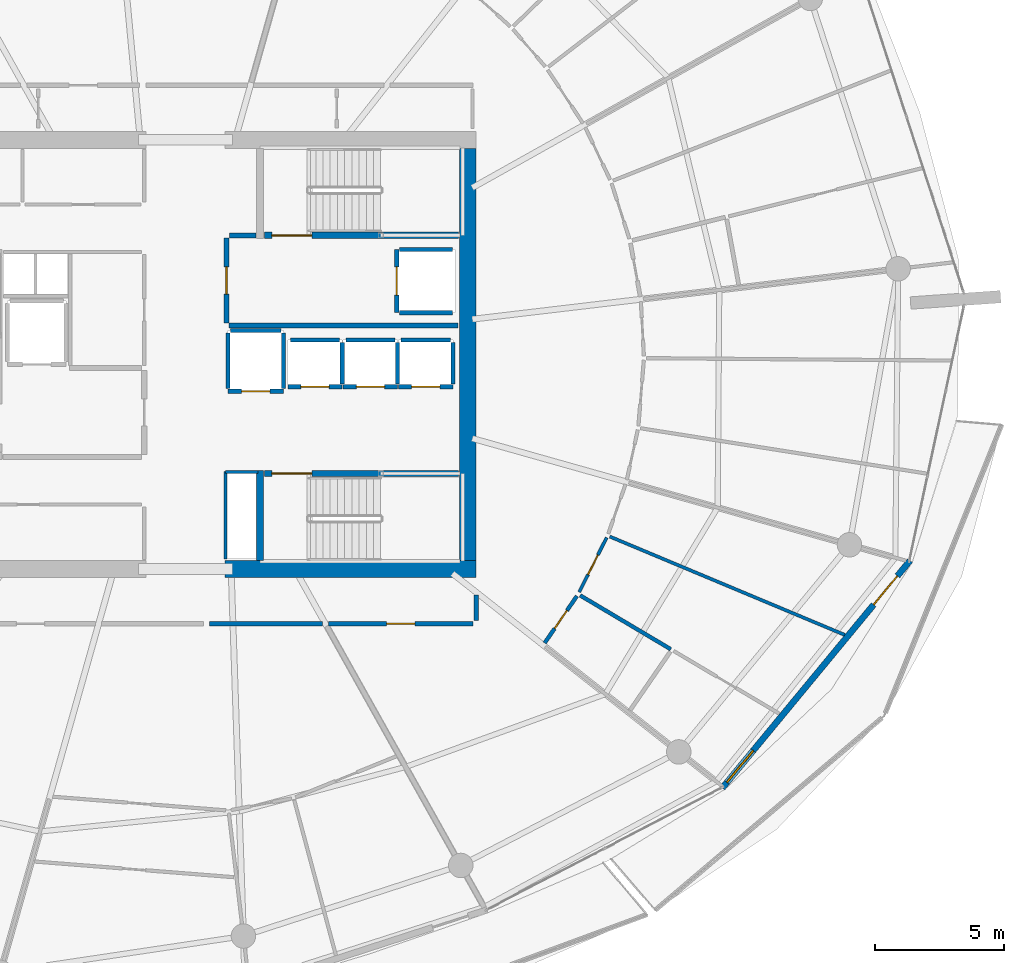
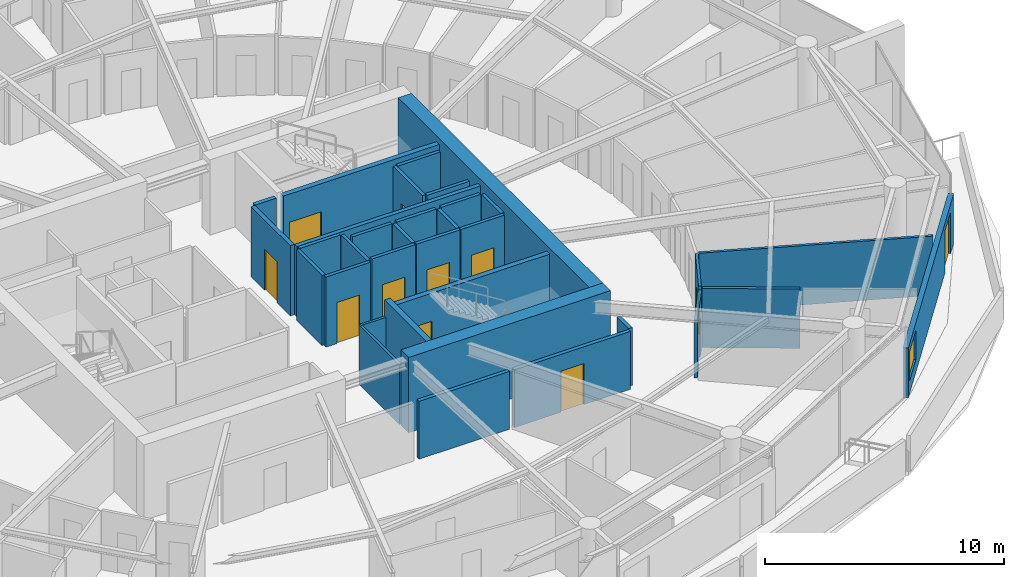
# One storey, part 19 of 30: 34 walls, 12 doors, 1 window, 13 openings.
"""IFC4 building model written with IfcOpenShell, lengths in metres."""

from ifc_helpers import new_model, si_unit, direction, frame, frame_2d, origin, place, context, subcontext, project, spatial, rectangle, extrude, material, layer, layer_set, type_object, element, fill, save


model = new_model("IFC4")

# Units and contexts
model_context = context("Model", 3, precision=1e-05, world=origin(), true_north=direction((0.0, 1.0)))
body_context = subcontext(model_context, "Body", "Model", "MODEL_VIEW")
ifc_project = project(units=[si_unit("LENGTHUNIT", "METRE"), si_unit("AREAUNIT", "SQUARE_METRE"), si_unit("VOLUMEUNIT", "CUBIC_METRE"), si_unit("PLANEANGLEUNIT", "RADIAN"), si_unit("MASSUNIT", "GRAM", prefix="KILO")], contexts=[model_context])

# Site, building, storey
site_placement = place(None, origin())
site = spatial("IfcSite", under=ifc_project, at=site_placement, CompositionType="ELEMENT")
building_placement = place(site_placement, origin())
building = spatial("IfcBuilding", under=site, at=building_placement, Name="Kazma Halo Residences", CompositionType="ELEMENT")
storey_placement = place(building_placement, frame((0.0, 0.0, 255.949951171875)))
storey = spatial("IfcBuildingStorey", under=building, at=storey_placement, Name="L64", CompositionType="ELEMENT", Elevation=255.949951171875)

# Walls
ifc_material_1 = material(Name="Concrete C60/75", Category="concrete")
ifc_layer_1 = layer(ifc_material_1, 0.64990234375)
ifc_layer_set_1 = layer_set([ifc_layer_1], Name="Concrete C60/75")
wall_type_1 = type_object("IfcWallType", Name="WL-CORE-650", PredefinedType="SHEAR", material=ifc_layer_set_1)
wall_1_placement = place(storey_placement, frame((49.949951171875, 33.675048828125, 0.0), z_axis=(0.0, 0.0, 1.0), x_axis=(1.0, 0.0, 0.0)))
element("IfcWall", 1, at=wall_1_placement, inside=storey, type_object=wall_type_1, Name="L64 central core shear wall SE", PredefinedType="SHEAR", context=body_context, shape_type="SweptSolid", body=[
    extrude(rectangle(XDim=9.75, YDim=0.64990234375, at=frame_2d((4.875, 0.0))), origin(), (0.0, 0.0, 1.0), 3.85009765625),
])
wall_2_placement = place(storey_placement, frame((59.375, 34.0, 0.0), z_axis=(0.0, 0.0, 1.0), x_axis=(0.0, 1.0, 0.0)))
element("IfcWall", 2, at=wall_2_placement, inside=storey, type_object=wall_type_1, Name="L64 central core shear wall E", PredefinedType="SHEAR", context=body_context, shape_type="SweptSolid", body=[
    extrude(rectangle(XDim=16.0, YDim=0.64990234375, at=frame_2d((8.0, 0.0))), origin(), (0.0, 0.0, 1.0), 3.85009765625),
])
ifc_layer_2 = layer(ifc_material_1, 0.280029296875)
ifc_layer_set_2 = layer_set([ifc_layer_2], Name="Concrete C60/75")
wall_type_2 = type_object("IfcWallType", Name="WL-CORE-ST-280", PredefinedType="SHEAR", material=ifc_layer_set_2)
wall_3_placement = place(storey_placement, frame((51.31005859375, 34.0, 0.0), z_axis=(0.0, 0.0, 1.0), x_axis=(0.0, 1.0, 0.0)))
element("IfcWall", 3, at=wall_3_placement, inside=storey, type_object=wall_type_2, Name="L64 stairwell bearing wall ST03-W", PredefinedType="SHEAR", context=body_context, shape_type="SweptSolid", body=[
    extrude(rectangle(XDim=3.5, YDim=0.280029296875, at=frame_2d((1.75, 0.0))), origin(), (0.0, 0.0, 1.0), 3.85009765625),
])
ifc_material_2 = material(Name="Acoustic Twin-Stud Gypsum")
ifc_layer_3 = layer(ifc_material_2, 0.179931640625)
ifc_layer_set_3 = layer_set([ifc_layer_3], Name="Acoustic Twin-Stud Gypsum")
wall_type_3 = type_object("IfcWallType", Name="WL-DEM-180", PredefinedType="PARTITIONING", material=ifc_layer_set_3)
wall_4_placement = place(storey_placement, frame((49.356689453125, 31.550048828125, 0.0), z_axis=(0.0, 0.0, 1.0), x_axis=(1.0, 0.0, 0.0)))
element("IfcWall", 4, at=wall_4_placement, inside=storey, type_object=wall_type_3, Name="L64 Apartment 2 inner wall 11", PredefinedType="PARTITIONING", context=body_context, shape_type="SweptSolid", body=[
    extrude(rectangle(XDim=4.375732421875, YDim=0.179931640625, at=frame_2d((2.18798828125, 0.0))), origin(), (0.0, 0.0, 1.0), 2.95703125),
])

# Wall, opening, door
wall_5_placement = place(storey_placement, frame((53.972412109375, 31.550048828125, 0.0), z_axis=(0.0, 0.0, 1.0), x_axis=(1.0, 0.0, 0.0)))
wall_5 = element("IfcWall", 5, at=wall_5_placement, inside=storey, type_object=wall_type_3, Name="L64 Apartment 3 entrance corridor wall", PredefinedType="PARTITIONING", context=body_context, shape_type="SweptSolid", body=[
    extrude(rectangle(XDim=5.607666015625, YDim=0.179931640625, at=frame_2d((2.8037109375, 0.0))), origin(), (0.0, 0.0, 1.0), 2.95703125),
])
opening_1_placement = place(wall_5_placement, frame((2.25390625, 0.0, 0.0)))
opening_1 = element("IfcOpeningElement", 6, at=opening_1_placement, cuts=wall_5, Name="Opening DA-1100", PredefinedType="OPENING", context=body_context, shape_type="SweptSolid", body=[
    extrude(rectangle(XDim=1.10009765625, YDim=2.10009765625, at=frame_2d((0.550048828125, 1.050048828125))), frame((0.0, 0.099853515625, 0.0), z_axis=(0.0, -1.0, 0.0), x_axis=(1.0, 0.0, 0.0)), (0.0, 0.0, 1.0), 0.199951171875),
])
ifc_material_3 = material(Name="Acoustic Walnut Fire Leaf")
door_type_1 = type_object("IfcDoorType", Name="DR-FD60-1100", OperationType="NOTDEFINED", PredefinedType="DOOR", material=ifc_material_3)
door_1_placement = place(opening_1_placement, origin())
door_1 = element("IfcDoor", 7, at=door_1_placement, inside=storey, type_object=door_type_1, Name="L64 Apartment 3 entrance fire door", OperationType="SINGLE_SWING_RIGHT", OverallHeight=2.10009765625, OverallWidth=1.10009765625, PredefinedType="DOOR", context=body_context, shape_type="SweptSolid", body=[
    extrude(rectangle(XDim=1.10009765625, YDim=2.10009765625, at=frame_2d((0.550048828125, 1.050048828125))), frame((0.0, 0.02490234375, 0.0), z_axis=(0.0, -1.0, 0.0), x_axis=(1.0, 0.0, 0.0)), (0.0, 0.0, 1.0), 0.050048828125),
])
fill(opening_1, door_1)

# Wall
wall_6_placement = place(storey_placement, frame((59.699951171875, 31.669921875, 0.0), z_axis=(0.0, 0.0, 1.0), x_axis=(0.0, 1.0, 0.0)))
element("IfcWall", 8, at=wall_6_placement, inside=storey, type_object=wall_type_3, Name="L64 Apartment 3 entrance corridor wall", PredefinedType="PARTITIONING", context=body_context, shape_type="SweptSolid", body=[
    extrude(rectangle(XDim=0.986572265625, YDim=0.179931640625, at=frame_2d((0.4931640625, 0.0))), origin(), (0.0, 0.0, 1.0), 2.95703125),
])

# Wall, openings, door, window
ifc_material_4 = material(Name="Insulated Pale-Metal Composite Wall")
ifc_layer_4 = layer(ifc_material_4, 0.239990234375)
ifc_layer_set_4 = layer_set([ifc_layer_4], Name="Insulated Pale-Metal Composite Wall")
wall_type_4 = type_object("IfcWallType", Name="WL-EXT-HOST-240", PredefinedType="SOLIDWALL", material=ifc_layer_set_4)
wall_7_placement = place(storey_placement, frame((69.2578125, 25.177978515625, 0.0), z_axis=(0.0, 0.0, 1.0), x_axis=(0.636680093065, 0.771128043255, 0.0)))
wall_7 = element("IfcWall", 9, at=wall_7_placement, inside=storey, type_object=wall_type_4, Name="L64 exterior terrace-access wall B14", PredefinedType="SOLIDWALL", context=body_context, shape_type="SweptSolid", body=[
    extrude(rectangle(XDim=11.438232421875, YDim=0.239990234375, at=frame_2d((5.71923828125, 0.0))), origin(), (0.0, 0.0, 1.0), 2.5400390625),
])
opening_2_placement = place(wall_7_placement, frame((9.21826171875, 0.0, 0.0)))
opening_2 = element("IfcOpeningElement", 10, at=opening_2_placement, cuts=wall_7, Name="Opening DTR-1600", PredefinedType="OPENING", context=body_context, shape_type="SweptSolid", body=[
    extrude(rectangle(XDim=1.449951171875, YDim=2.14990234375, at=frame_2d((0.72509765625, 1.074951171875))), frame((0.0, 0.1298828125, 0.0), z_axis=(0.0, -1.0, 0.0), x_axis=(1.0, 0.0, 0.0)), (0.0, 0.0, 1.0), 0.260009765625),
])
opening_3_placement = place(wall_7_placement, frame((0.280029296875, 0.0, 0.64990234375)))
opening_3 = element("IfcOpeningElement", 11, at=opening_3_placement, cuts=wall_7, Name="Opening W-1800", PredefinedType="OPENING", context=body_context, shape_type="SweptSolid", body=[
    extrude(rectangle(XDim=1.60009765625, YDim=1.5, at=frame_2d((0.800048828125, 0.75))), frame((0.0, 0.1298828125, 0.0), z_axis=(0.0, -1.0, 0.0), x_axis=(1.0, 0.0, 0.0)), (0.0, 0.0, 1.0), 0.260009765625),
])
ifc_material_5 = material(Name="Aluminium AW-6063 T6 Double-Glazed Terrace Door", Category="aluminium")
door_type_2 = type_object("IfcDoorType", Name="DR-EXT-TERR-1600", OperationType="NOTDEFINED", PredefinedType="DOOR", material=ifc_material_5)
door_2_placement = place(opening_2_placement, origin())
door_2 = element("IfcDoor", 12, at=door_2_placement, inside=storey, type_object=door_type_2, Name="L64 B14 balcony terrace door", OperationType="DOUBLE_DOOR_SLIDING", OverallHeight=2.14990234375, OverallWidth=1.449951171875, PredefinedType="DOOR", context=body_context, shape_type="SweptSolid", body=[
    extrude(rectangle(XDim=1.449951171875, YDim=2.14990234375, at=frame_2d((0.72509765625, 1.074951171875))), frame((0.0, 0.02490234375, 0.0), z_axis=(0.0, -1.0, 0.0), x_axis=(1.0, 0.0, 0.0)), (0.0, 0.0, 1.0), 0.050048828125),
])
fill(opening_2, door_2)
ifc_material_6 = material(Name="Clear Triple-Silver Low-E Glass in Aluminium AW-6063 T6 Frame", Category="aluminium")
window_type = type_object("IfcWindowType", Name="WIN-RES-1800", PartitioningType="DOUBLE_PANEL_VERTICAL", PredefinedType="WINDOW", material=ifc_material_6)
window_placement = place(opening_3_placement, origin())
window = element("IfcWindow", 13, at=window_placement, inside=storey, type_object=window_type, Name="L64 B14 apartment window", OverallHeight=1.5, OverallWidth=1.60009765625, PartitioningType="SINGLE_PANEL", PredefinedType="WINDOW", context=body_context, shape_type="SweptSolid", body=[
    extrude(rectangle(XDim=1.60009765625, YDim=1.5, at=frame_2d((0.800048828125, 0.75))), frame((0.0, 0.030029296875, 0.0), z_axis=(0.0, -1.0, 0.0), x_axis=(1.0, 0.0, 0.0)), (0.0, 0.0, 1.0), 0.06005859375),
])
fill(opening_3, window)

# Wall, opening, door
ifc_material_7 = material(Name="Fire-Rated Blockwork Masonry", Category="masonry")
ifc_layer_5 = layer(ifc_material_7, 0.199951171875)
ifc_layer_set_5 = layer_set([ifc_layer_5], Name="Fire-Rated Blockwork Masonry")
wall_type_5 = type_object("IfcWallType", Name="WL-FLB-200", PredefinedType="PARTITIONING", material=ifc_layer_set_5)
wall_8_placement = place(storey_placement, frame((54.5048828125, 40.7451171875, 0.0), z_axis=(0.0, 0.0, 1.0), x_axis=(-1.0, 0.0, 0.0)))
wall_8 = element("IfcWall", 14, at=wall_8_placement, inside=storey, type_object=wall_type_5, Name="L64 lift shaft PH-01 front wall", PredefinedType="PARTITIONING", context=body_context, shape_type="SweptSolid", body=[
    extrude(rectangle(XDim=2.10986328125, YDim=0.159912109375, at=frame_2d((1.054931640625, 0.0))), origin(), (0.0, 0.0, 1.0), 3.590087890625),
])
opening_4_placement = place(wall_8_placement, frame((0.5048828125, 0.0, 0.0)))
opening_4 = element("IfcOpeningElement", 15, at=opening_4_placement, cuts=wall_8, Name="Opening LD-PH-01", PredefinedType="OPENING", context=body_context, shape_type="SweptSolid", body=[
    extrude(rectangle(XDim=1.10009765625, YDim=2.10009765625, at=frame_2d((0.550048828125, 1.050048828125))), frame((0.0, 0.08984375, 0.0), z_axis=(0.0, -1.0, 0.0), x_axis=(1.0, 0.0, 0.0)), (0.0, 0.0, 1.0), 0.179931640625),
])
ifc_material_8 = material(Name="Stainless Steel Fire-Rated", Category="steel")
door_type_3 = type_object("IfcDoorType", Name="DR-LIFT-SLD-1100", OperationType="DOUBLE_DOOR_SLIDING", PredefinedType="DOOR", material=ifc_material_8)
door_3_placement = place(opening_4_placement, origin())
door_3 = element("IfcDoor", 16, at=door_3_placement, inside=storey, type_object=door_type_3, Name="L64 lift PH-01 sliding landing door", OperationType="DOUBLE_DOOR_SLIDING", OverallHeight=2.10009765625, OverallWidth=1.10009765625, PredefinedType="DOOR", context=body_context, shape_type="SweptSolid", body=[
    extrude(rectangle(XDim=1.10009765625, YDim=2.10009765625, at=frame_2d((0.550048828125, 1.050048828125))), frame((0.0, 0.02490234375, 0.0), z_axis=(0.0, -1.0, 0.0), x_axis=(1.0, 0.0, 0.0)), (0.0, 0.0, 1.0), 0.050048828125),
])
fill(opening_4, door_3)

# Walls
wall_9_placement = place(storey_placement, frame((54.5048828125, 40.844970703125, 0.0), z_axis=(0.0, 0.0, 1.0), x_axis=(0.0, 1.0, 0.0)))
element("IfcWall", 17, at=wall_9_placement, inside=storey, type_object=wall_type_5, Name="L64 lift shaft PH-01 side wall E", PredefinedType="PARTITIONING", context=body_context, shape_type="SweptSolid", body=[
    extrude(rectangle(XDim=1.610107421875, YDim=0.159912109375, at=frame_2d((0.80517578125, 0.0))), origin(), (0.0, 0.0, 1.0), 3.590087890625),
])
wall_10_placement = place(storey_placement, frame((52.4951171875, 42.554931640625, 0.0), z_axis=(0.0, 0.0, 1.0), x_axis=(1.0, 0.0, 0.0)))
element("IfcWall", 18, at=wall_10_placement, inside=storey, type_object=wall_type_5, Name="L64 lift shaft PH-01 side wall N", PredefinedType="PARTITIONING", context=body_context, shape_type="SweptSolid", body=[
    extrude(rectangle(XDim=1.909912109375, YDim=0.159912109375, at=frame_2d((0.955078125, 0.0))), origin(), (0.0, 0.0, 1.0), 3.590087890625),
])

# Wall, opening, door
wall_11_placement = place(storey_placement, frame((56.655029296875, 40.7451171875, 0.0), z_axis=(0.0, 0.0, 1.0), x_axis=(-1.0, 0.0, 0.0)))
wall_11 = element("IfcWall", 19, at=wall_11_placement, inside=storey, type_object=wall_type_5, Name="L64 lift shaft PH-02 front wall", PredefinedType="PARTITIONING", context=body_context, shape_type="SweptSolid", body=[
    extrude(rectangle(XDim=2.110107421875, YDim=0.159912109375, at=frame_2d((1.05517578125, 0.0))), origin(), (0.0, 0.0, 1.0), 3.590087890625),
])
opening_5_placement = place(wall_11_placement, frame((0.5048828125, 0.0, 0.0)))
opening_5 = element("IfcOpeningElement", 20, at=opening_5_placement, cuts=wall_11, Name="Opening LD-PH-02", PredefinedType="OPENING", context=body_context, shape_type="SweptSolid", body=[
    extrude(rectangle(XDim=1.10009765625, YDim=2.10009765625, at=frame_2d((0.550048828125, 1.050048828125))), frame((0.0, 0.08984375, 0.0), z_axis=(0.0, -1.0, 0.0), x_axis=(1.0, 0.0, 0.0)), (0.0, 0.0, 1.0), 0.179931640625),
])
door_4_placement = place(opening_5_placement, origin())
door_4 = element("IfcDoor", 21, at=door_4_placement, inside=storey, type_object=door_type_3, Name="L64 lift PH-02 sliding landing door", OperationType="DOUBLE_DOOR_SLIDING", OverallHeight=2.10009765625, OverallWidth=1.10009765625, PredefinedType="DOOR", context=body_context, shape_type="SweptSolid", body=[
    extrude(rectangle(XDim=1.10009765625, YDim=2.10009765625, at=frame_2d((0.550048828125, 1.050048828125))), frame((0.0, 0.02490234375, 0.0), z_axis=(0.0, -1.0, 0.0), x_axis=(1.0, 0.0, 0.0)), (0.0, 0.0, 1.0), 0.050048828125),
])
fill(opening_5, door_4)

# Walls
wall_12_placement = place(storey_placement, frame((56.655029296875, 40.844970703125, 0.0), z_axis=(0.0, 0.0, 1.0), x_axis=(0.0, 1.0, 0.0)))
element("IfcWall", 22, at=wall_12_placement, inside=storey, type_object=wall_type_5, Name="L64 lift shaft PH-02 side wall E", PredefinedType="PARTITIONING", context=body_context, shape_type="SweptSolid", body=[
    extrude(rectangle(XDim=1.610107421875, YDim=0.159912109375, at=frame_2d((0.80517578125, 0.0))), origin(), (0.0, 0.0, 1.0), 3.590087890625),
])
wall_13_placement = place(storey_placement, frame((54.64501953125, 42.554931640625, 0.0), z_axis=(0.0, 0.0, 1.0), x_axis=(1.0, 0.0, 0.0)))
element("IfcWall", 23, at=wall_13_placement, inside=storey, type_object=wall_type_5, Name="L64 lift shaft PH-02 side wall N", PredefinedType="PARTITIONING", context=body_context, shape_type="SweptSolid", body=[
    extrude(rectangle(XDim=1.909912109375, YDim=0.159912109375, at=frame_2d((0.955078125, 0.0))), origin(), (0.0, 0.0, 1.0), 3.590087890625),
])

# Wall, opening, door
wall_14_placement = place(storey_placement, frame((58.804931640625, 40.7451171875, 0.0), z_axis=(0.0, 0.0, 1.0), x_axis=(-1.0, 0.0, 0.0)))
wall_14 = element("IfcWall", 24, at=wall_14_placement, inside=storey, type_object=wall_type_5, Name="L64 lift shaft PH-03 front wall", PredefinedType="PARTITIONING", context=body_context, shape_type="SweptSolid", body=[
    extrude(rectangle(XDim=2.10986328125, YDim=0.159912109375, at=frame_2d((1.054931640625, 0.0))), origin(), (0.0, 0.0, 1.0), 3.590087890625),
])
opening_6_placement = place(wall_14_placement, frame((0.5048828125, 0.0, 0.0)))
opening_6 = element("IfcOpeningElement", 25, at=opening_6_placement, cuts=wall_14, Name="Opening LD-PH-03", PredefinedType="OPENING", context=body_context, shape_type="SweptSolid", body=[
    extrude(rectangle(XDim=1.10009765625, YDim=2.10009765625, at=frame_2d((0.550048828125, 1.050048828125))), frame((0.0, 0.08984375, 0.0), z_axis=(0.0, -1.0, 0.0), x_axis=(1.0, 0.0, 0.0)), (0.0, 0.0, 1.0), 0.179931640625),
])
door_5_placement = place(opening_6_placement, origin())
door_5 = element("IfcDoor", 26, at=door_5_placement, inside=storey, type_object=door_type_3, Name="L64 lift PH-03 sliding landing door", OperationType="DOUBLE_DOOR_SLIDING", OverallHeight=2.10009765625, OverallWidth=1.10009765625, PredefinedType="DOOR", context=body_context, shape_type="SweptSolid", body=[
    extrude(rectangle(XDim=1.10009765625, YDim=2.10009765625, at=frame_2d((0.550048828125, 1.050048828125))), frame((0.0, 0.02490234375, 0.0), z_axis=(0.0, -1.0, 0.0), x_axis=(1.0, 0.0, 0.0)), (0.0, 0.0, 1.0), 0.050048828125),
])
fill(opening_6, door_5)

# Walls
wall_15_placement = place(storey_placement, frame((58.804931640625, 40.844970703125, 0.0), z_axis=(0.0, 0.0, 1.0), x_axis=(0.0, 1.0, 0.0)))
element("IfcWall", 27, at=wall_15_placement, inside=storey, type_object=wall_type_5, Name="L64 lift shaft PH-03 side wall E", PredefinedType="PARTITIONING", context=body_context, shape_type="SweptSolid", body=[
    extrude(rectangle(XDim=1.610107421875, YDim=0.159912109375, at=frame_2d((0.80517578125, 0.0))), origin(), (0.0, 0.0, 1.0), 3.590087890625),
])
wall_16_placement = place(storey_placement, frame((56.794921875, 42.554931640625, 0.0), z_axis=(0.0, 0.0, 1.0), x_axis=(1.0, 0.0, 0.0)))
element("IfcWall", 28, at=wall_16_placement, inside=storey, type_object=wall_type_5, Name="L64 lift shaft PH-03 side wall N", PredefinedType="PARTITIONING", context=body_context, shape_type="SweptSolid", body=[
    extrude(rectangle(XDim=1.91015625, YDim=0.159912109375, at=frame_2d((0.955078125, 0.0))), origin(), (0.0, 0.0, 1.0), 3.590087890625),
])

# Wall, opening, door
wall_17_placement = place(storey_placement, frame((56.6201171875, 46.080078125, 0.0), z_axis=(0.0, 0.0, 1.0), x_axis=(0.0, -1.0, 0.0)))
wall_17 = element("IfcWall", 29, at=wall_17_placement, inside=storey, type_object=wall_type_5, Name="L64 lift shaft FL-02 front wall", PredefinedType="PARTITIONING", context=body_context, shape_type="SweptSolid", body=[
    extrude(rectangle(XDim=2.4599609375, YDim=0.159912109375, at=frame_2d((1.22998046875, 0.0))), origin(), (0.0, 0.0, 1.0), 3.590087890625),
])
opening_7_placement = place(wall_17_placement, frame((0.679931640625, 0.0, 0.0)))
opening_7 = element("IfcOpeningElement", 30, at=opening_7_placement, cuts=wall_17, Name="Opening LD-FL-02", PredefinedType="OPENING", context=body_context, shape_type="SweptSolid", body=[
    extrude(rectangle(XDim=1.10009765625, YDim=2.10009765625, at=frame_2d((0.550048828125, 1.050048828125))), frame((0.0, 0.08984375, 0.0), z_axis=(0.0, -1.0, 0.0), x_axis=(1.0, 0.0, 0.0)), (0.0, 0.0, 1.0), 0.179931640625),
])
door_6_placement = place(opening_7_placement, origin())
door_6 = element("IfcDoor", 31, at=door_6_placement, inside=storey, type_object=door_type_3, Name="L64 lift FL-02 sliding landing door", OperationType="DOUBLE_DOOR_SLIDING", OverallHeight=2.10009765625, OverallWidth=1.10009765625, PredefinedType="DOOR", context=body_context, shape_type="SweptSolid", body=[
    extrude(rectangle(XDim=1.10009765625, YDim=2.10009765625, at=frame_2d((0.550048828125, 1.050048828125))), frame((0.0, 0.02490234375, 0.0), z_axis=(0.0, -1.0, 0.0), x_axis=(1.0, 0.0, 0.0)), (0.0, 0.0, 1.0), 0.050048828125),
])
fill(opening_7, door_6)

# Walls
for number, where, z_axis, x_axis, name in (
    (32, (56.719970703125, 46.080078125, 0.0), (0.0, 0.0, 1.0), (1.0, 0.0, 0.0), "L64 lift shaft FL-02 side wall N"),
    (33, (56.719970703125, 43.6201171875, 0.0), (0.0, 0.0, 1.0), (1.0, 0.0, 0.0), "L64 lift shaft FL-02 side wall S"),
):
    element("IfcWall", number, at=place(storey_placement, frame(where, z_axis=z_axis, x_axis=x_axis)), inside=storey, type_object=wall_type_5, Name=name, PredefinedType="PARTITIONING", context=body_context, shape_type="SweptSolid", body=[
        extrude(rectangle(XDim=2.06005859375, YDim=0.159912109375, at=frame_2d((1.030029296875, 0.0))), origin(), (0.0, 0.0, 1.0), 3.590087890625),
    ])

# Wall, opening, door
wall_18_placement = place(storey_placement, frame((52.22998046875, 40.570068359375, 0.0), z_axis=(0.0, 0.0, 1.0), x_axis=(-1.0, 0.0, 0.0)))
wall_18 = element("IfcWall", 34, at=wall_18_placement, inside=storey, type_object=wall_type_5, Name="L64 lift shaft SV-01 front wall", PredefinedType="PARTITIONING", context=body_context, shape_type="SweptSolid", body=[
    extrude(rectangle(XDim=2.159912109375, YDim=0.159912109375, at=frame_2d((1.080078125, 0.0))), origin(), (0.0, 0.0, 1.0), 3.590087890625),
])
opening_8_placement = place(wall_18_placement, frame((0.530029296875, 0.0, 0.0)))
opening_8 = element("IfcOpeningElement", 35, at=opening_8_placement, cuts=wall_18, Name="Opening LD-SV-01", PredefinedType="OPENING", context=body_context, shape_type="SweptSolid", body=[
    extrude(rectangle(XDim=1.10009765625, YDim=2.10009765625, at=frame_2d((0.550048828125, 1.050048828125))), frame((0.0, 0.08984375, 0.0), z_axis=(0.0, -1.0, 0.0), x_axis=(1.0, 0.0, 0.0)), (0.0, 0.0, 1.0), 0.179931640625),
])
door_7_placement = place(opening_8_placement, origin())
door_7 = element("IfcDoor", 36, at=door_7_placement, inside=storey, type_object=door_type_3, Name="L64 lift SV-01 sliding landing door", OperationType="DOUBLE_DOOR_SLIDING", OverallHeight=2.10009765625, OverallWidth=1.10009765625, PredefinedType="DOOR", context=body_context, shape_type="SweptSolid", body=[
    extrude(rectangle(XDim=1.10009765625, YDim=2.10009765625, at=frame_2d((0.550048828125, 1.050048828125))), frame((0.0, 0.02490234375, 0.0), z_axis=(0.0, -1.0, 0.0), x_axis=(1.0, 0.0, 0.0)), (0.0, 0.0, 1.0), 0.050048828125),
])
fill(opening_8, door_7)

# Walls
for number, where, z_axis, x_axis, name in (
    (37, (52.22998046875, 40.669921875, 0.0), (0.0, 0.0, 1.0), (0.0, 1.0, 0.0), "L64 lift shaft SV-01 side wall E"),
    (38, (50.070068359375, 40.669921875, 0.0), (0.0, 0.0, 1.0), (0.0, 1.0, 0.0), "L64 lift shaft SV-01 side wall W"),
):
    element("IfcWall", number, at=place(storey_placement, frame(where, z_axis=z_axis, x_axis=x_axis)), inside=storey, type_object=wall_type_5, Name=name, PredefinedType="PARTITIONING", context=body_context, shape_type="SweptSolid", body=[
        extrude(rectangle(XDim=2.16015625, YDim=0.159912109375, at=frame_2d((1.080078125, 0.0))), origin(), (0.0, 0.0, 1.0), 3.590087890625),
    ])
wall_19_placement = place(storey_placement, frame((50.169921875, 42.929931640625, 0.0), z_axis=(0.0, 0.0, 1.0), x_axis=(1.0, 0.0, 0.0)))
element("IfcWall", 39, at=wall_19_placement, inside=storey, type_object=wall_type_5, Name="L64 lift shaft SV-01 side wall N", PredefinedType="PARTITIONING", context=body_context, shape_type="SweptSolid", body=[
    extrude(rectangle(XDim=1.9599609375, YDim=0.159912109375, at=frame_2d((0.97998046875, 0.0))), origin(), (0.0, 0.0, 1.0), 3.590087890625),
])
wall_20_placement = place(storey_placement, frame((50.1201171875, 43.1201171875, 0.0), z_axis=(0.0, 0.0, 1.0), x_axis=(1.0, 0.0, 0.0)))
element("IfcWall", 40, at=wall_20_placement, inside=storey, type_object=wall_type_5, Name="L64 east firefighting lobby south smoke wall", PredefinedType="PARTITIONING", context=body_context, shape_type="SweptSolid", body=[
    extrude(rectangle(XDim=8.8798828125, YDim=0.199951171875, at=frame_2d((4.43994140625, 0.0))), origin(), (0.0, 0.0, 1.0), 3.590087890625),
])
wall_21_placement = place(storey_placement, frame((50.139892578125, 46.6201171875, 0.0), z_axis=(0.0, 0.0, 1.0), x_axis=(1.0, 0.0, 0.0)))
element("IfcWall", 41, at=wall_21_placement, inside=storey, type_object=wall_type_5, Name="L64 east firefighting lobby north closure wall", PredefinedType="PARTITIONING", context=body_context, shape_type="SweptSolid", body=[
    extrude(rectangle(XDim=1.02001953125, YDim=0.199951171875, at=frame_2d((0.510009765625, 0.0))), origin(), (0.0, 0.0, 1.0), 3.590087890625),
])

# Wall, opening, door
wall_22_placement = place(storey_placement, frame((50.02001953125, 43.219970703125, 0.0), z_axis=(0.0, 0.0, 1.0), x_axis=(0.0, 1.0, 0.0)))
wall_22 = element("IfcWall", 42, at=wall_22_placement, inside=storey, type_object=wall_type_5, Name="L64 east firefighting lobby smoke wall", PredefinedType="PARTITIONING", context=body_context, shape_type="SweptSolid", body=[
    extrude(rectangle(XDim=3.300048828125, YDim=0.199951171875, at=frame_2d((1.64990234375, 0.0))), origin(), (0.0, 0.0, 1.0), 3.590087890625),
])
opening_9_placement = place(wall_22_placement, frame((1.125, 0.0, 0.0)))
opening_9 = element("IfcOpeningElement", 43, at=opening_9_placement, cuts=wall_22, Name="Opening D-FLE", PredefinedType="OPENING", context=body_context, shape_type="SweptSolid", body=[
    extrude(rectangle(XDim=1.050048828125, YDim=2.10009765625, at=frame_2d((0.52490234375, 1.050048828125))), frame((0.0, 0.10986328125, 0.0), z_axis=(0.0, -1.0, 0.0), x_axis=(1.0, 0.0, 0.0)), (0.0, 0.0, 1.0), 0.219970703125),
])
ifc_material_9 = material(Name="Fire-Rated Steel Leaf", Category="steel")
door_type_4 = type_object("IfcDoorType", Name="DR-FD90-1050", OperationType="NOTDEFINED", PredefinedType="DOOR", material=ifc_material_9)
door_8_placement = place(opening_9_placement, origin())
door_8 = element("IfcDoor", 44, at=door_8_placement, inside=storey, type_object=door_type_4, Name="L64 east firefighting lobby smoke door", OperationType="SINGLE_SWING_RIGHT", OverallHeight=2.10009765625, OverallWidth=1.050048828125, PredefinedType="DOOR", context=body_context, shape_type="SweptSolid", body=[
    extrude(rectangle(XDim=1.050048828125, YDim=2.10009765625, at=frame_2d((0.52490234375, 1.050048828125))), frame((0.0, 0.02490234375, 0.0), z_axis=(0.0, -1.0, 0.0), x_axis=(1.0, 0.0, 0.0)), (0.0, 0.0, 1.0), 0.050048828125),
])
fill(opening_9, door_8)

# Walls
ifc_material_10 = material(Name="Gypsum Plasterboard Partition")
ifc_layer_6 = layer(ifc_material_10, 0.125)
ifc_layer_set_6 = layer_set([ifc_layer_6], Name="Gypsum Plasterboard Partition")
wall_type_6 = type_object("IfcWallType", Name="WL-PART-125", PredefinedType="PARTITIONING", material=ifc_layer_set_6)
wall_23_placement = place(storey_placement, frame((49.97998046875, 34.06005859375, 0.0), z_axis=(0.0, 0.0, 1.0), x_axis=(0.0, 1.0, 0.0)))
element("IfcWall", 45, at=wall_23_placement, inside=storey, type_object=wall_type_6, Name="L64 standpipe riser wall", PredefinedType="PARTITIONING", context=body_context, shape_type="SweptSolid", body=[
    extrude(rectangle(XDim=3.39990234375, YDim=0.125, at=frame_2d((1.699951171875, 0.0))), origin(), (0.0, 0.0, 1.0), 3.030029296875),
])
wall_24_placement = place(storey_placement, frame((49.97998046875, 37.43994140625, 0.0), z_axis=(0.0, 0.0, 1.0), x_axis=(1.0, 0.0, 0.0)))
element("IfcWall", 46, at=wall_24_placement, inside=storey, type_object=wall_type_6, Name="L64 standpipe riser north wall", PredefinedType="PARTITIONING", context=body_context, shape_type="SweptSolid", body=[
    extrude(rectangle(XDim=1.260009765625, YDim=0.125, at=frame_2d((0.6298828125, 0.0))), origin(), (0.0, 0.0, 1.0), 3.030029296875),
])
wall_25_placement = place(storey_placement, frame((64.887939453125, 34.93310546875, 0.0), z_axis=(0.0, 0.0, 1.0), x_axis=(0.922480265394, -0.386044246114, 0.0)))
element("IfcWall", 47, at=wall_25_placement, inside=storey, type_object=wall_type_6, Name="L64 Apartment 3 suite divider 13", PredefinedType="PARTITIONING", context=body_context, shape_type="SweptSolid", body=[
    extrude(rectangle(XDim=9.884765625, YDim=0.125, at=frame_2d((4.9423828125, 0.0))), origin(), (0.0, 0.0, 1.0), 3.030029296875),
])

# Wall, opening, door
wall_26_placement = place(storey_placement, frame((63.702392578125, 32.7763671875, 0.0), z_axis=(0.0, 0.0, 1.0), x_axis=(0.449393387547, 0.893333970712, 0.0)))
wall_26 = element("IfcWall", 48, at=wall_26_placement, inside=storey, type_object=wall_type_6, Name="L64 Apartment 3 Gourmet Kitchen hall wall", PredefinedType="PARTITIONING", context=body_context, shape_type="SweptSolid", body=[
    extrude(rectangle(XDim=2.373046875, YDim=0.125, at=frame_2d((1.1865234375, 0.0))), origin(), (0.0, 0.0, 1.0), 3.030029296875),
])
opening_10_placement = place(wall_26_placement, frame((0.761474609375, 0.0, 0.0)))
opening_10 = element("IfcOpeningElement", 49, at=opening_10_placement, cuts=wall_26, Name="Opening DB-900", PredefinedType="OPENING", context=body_context, shape_type="SweptSolid", body=[
    extrude(rectangle(XDim=0.85009765625, YDim=2.06005859375, at=frame_2d((0.425048828125, 1.030029296875))), frame((0.0, 0.072509765625, 0.0), z_axis=(0.0, -1.0, 0.0), x_axis=(1.0, 0.0, 0.0)), (0.0, 0.0, 1.0), 0.14501953125),
])
ifc_material_11 = material(Name="Moisture-Sealed Timber Leaf", Category="wood")
door_type_5 = type_object("IfcDoorType", Name="DR-BTH-900", OperationType="NOTDEFINED", PredefinedType="DOOR", material=ifc_material_11)
door_9_placement = place(opening_10_placement, origin())
door_9 = element("IfcDoor", 50, at=door_9_placement, inside=storey, type_object=door_type_5, Name="L64 Apartment 3 Gourmet Kitchen door", OperationType="SINGLE_SWING_RIGHT", OverallHeight=2.06005859375, OverallWidth=0.85009765625, PredefinedType="DOOR", context=body_context, shape_type="SweptSolid", body=[
    extrude(rectangle(XDim=0.85009765625, YDim=2.06005859375, at=frame_2d((0.425048828125, 1.030029296875))), frame((0.0, 0.02490234375, 0.0), z_axis=(0.0, -1.0, 0.0), x_axis=(1.0, 0.0, 0.0)), (0.0, 0.0, 1.0), 0.050048828125),
])
fill(opening_10, door_9)

ifc_material_12 = material(Name="Concrete C50/60", Category="concrete")
ifc_layer_7 = layer(ifc_material_12, 0.25)
ifc_layer_set_7 = layer_set([ifc_layer_7], Name="Concrete C50/60")
wall_type_7 = type_object("IfcWallType", Name="WL-SHF-250", PredefinedType="SOLIDWALL", material=ifc_layer_set_7)
wall_27_placement = place(storey_placement, frame((51.47998046875, 46.6201171875, 0.0), z_axis=(0.0, 0.0, 1.0), x_axis=(1.0, 0.0, 0.0)))
wall_27 = element("IfcWall", 51, at=wall_27_placement, inside=storey, type_object=wall_type_7, Name="L64 exit stair ST-02 enclosure wall", PredefinedType="SOLIDWALL", context=body_context, shape_type="SweptSolid", body=[
    extrude(rectangle(XDim=7.5400390625, YDim=0.25, at=frame_2d((3.77001953125, 0.0))), origin(), (0.0, 0.0, 1.0), 3.590087890625),
])
opening_11_placement = place(wall_27_placement, frame((0.300048828125, 0.0, 0.0)))
opening_11 = element("IfcOpeningElement", 52, at=opening_11_placement, cuts=wall_27, Name="Opening D-ST2", PredefinedType="OPENING", context=body_context, shape_type="SweptSolid", body=[
    extrude(rectangle(XDim=1.550048828125, YDim=2.14990234375, at=frame_2d((0.77490234375, 1.074951171875))), frame((0.0, 0.135009765625, 0.0), z_axis=(0.0, -1.0, 0.0), x_axis=(1.0, 0.0, 0.0)), (0.0, 0.0, 1.0), 0.27001953125),
])
ifc_material_13 = material(Name="Fire-Rated Double Steel Leaf", Category="steel")
door_type_6 = type_object("IfcDoorType", Name="DR-FD90-1550", OperationType="NOTDEFINED", PredefinedType="DOOR", material=ifc_material_13)
door_10_placement = place(opening_11_placement, origin())
door_10 = element("IfcDoor", 53, at=door_10_placement, inside=storey, type_object=door_type_6, Name="L64 exit stair ST-02 fire door", OperationType="DOUBLE_DOOR_SINGLE_SWING", OverallHeight=2.14990234375, OverallWidth=1.550048828125, PredefinedType="DOOR", context=body_context, shape_type="SweptSolid", body=[
    extrude(rectangle(XDim=1.550048828125, YDim=2.14990234375, at=frame_2d((0.77490234375, 1.074951171875))), frame((0.0, 0.02490234375, 0.0), z_axis=(0.0, -1.0, 0.0), x_axis=(1.0, 0.0, 0.0)), (0.0, 0.0, 1.0), 0.050048828125),
])
fill(opening_11, door_10)

wall_28_placement = place(storey_placement, frame((51.47998046875, 37.3798828125, 0.0), z_axis=(0.0, 0.0, 1.0), x_axis=(1.0, 0.0, 0.0)))
wall_28 = element("IfcWall", 54, at=wall_28_placement, inside=storey, type_object=wall_type_7, Name="L64 exit stair ST-03 enclosure wall", PredefinedType="SOLIDWALL", context=body_context, shape_type="SweptSolid", body=[
    extrude(rectangle(XDim=7.5400390625, YDim=0.25, at=frame_2d((3.77001953125, 0.0))), origin(), (0.0, 0.0, 1.0), 3.590087890625),
])
opening_12_placement = place(wall_28_placement, frame((0.300048828125, 0.0, 0.0)))
opening_12 = element("IfcOpeningElement", 55, at=opening_12_placement, cuts=wall_28, Name="Opening D-ST3", PredefinedType="OPENING", context=body_context, shape_type="SweptSolid", body=[
    extrude(rectangle(XDim=1.550048828125, YDim=2.14990234375, at=frame_2d((0.77490234375, 1.074951171875))), frame((0.0, 0.135009765625, 0.0), z_axis=(0.0, -1.0, 0.0), x_axis=(1.0, 0.0, 0.0)), (0.0, 0.0, 1.0), 0.27001953125),
])
door_11_placement = place(opening_12_placement, origin())
door_11 = element("IfcDoor", 56, at=door_11_placement, inside=storey, type_object=door_type_6, Name="L64 exit stair ST-03 fire door", OperationType="DOUBLE_DOOR_SINGLE_SWING", OverallHeight=2.14990234375, OverallWidth=1.550048828125, PredefinedType="DOOR", context=body_context, shape_type="SweptSolid", body=[
    extrude(rectangle(XDim=1.550048828125, YDim=2.14990234375, at=frame_2d((0.77490234375, 1.074951171875))), frame((0.0, 0.02490234375, 0.0), z_axis=(0.0, -1.0, 0.0), x_axis=(1.0, 0.0, 0.0)), (0.0, 0.0, 1.0), 0.050048828125),
])
fill(opening_12, door_11)

ifc_material_14 = material(Name="Moisture-Resistant Gypsum")
ifc_layer_8 = layer(ifc_material_14, 0.14990234375)
ifc_layer_set_8 = layer_set([ifc_layer_8], Name="Moisture-Resistant Gypsum")
wall_type_8 = type_object("IfcWallType", Name="WL-WET-150", PredefinedType="PARTITIONING", material=ifc_layer_set_8)
wall_29_placement = place(storey_placement, frame((62.36279296875, 30.804443359375, 0.0), z_axis=(0.0, 0.0, 1.0), x_axis=(0.566096364518, 0.824339072275, 0.0)))
wall_29 = element("IfcWall", 57, at=wall_29_placement, inside=storey, type_object=wall_type_8, Name="L64 Apartment 3 Guest Bathroom hall wall", PredefinedType="PARTITIONING", context=body_context, shape_type="SweptSolid", body=[
    extrude(rectangle(XDim=2.20458984375, YDim=0.14990234375, at=frame_2d((1.102294921875, 0.0))), origin(), (0.0, 0.0, 1.0), 2.95703125),
])
opening_13_placement = place(wall_29_placement, frame((0.677490234375, 0.0, 0.0)))
opening_13 = element("IfcOpeningElement", 58, at=opening_13_placement, cuts=wall_29, Name="Opening DB-900", PredefinedType="OPENING", context=body_context, shape_type="SweptSolid", body=[
    extrude(rectangle(XDim=0.85009765625, YDim=2.06005859375, at=frame_2d((0.425048828125, 1.030029296875))), frame((0.0, 0.0849609375, 0.0), z_axis=(0.0, -1.0, 0.0), x_axis=(1.0, 0.0, 0.0)), (0.0, 0.0, 1.0), 0.169921875),
])
door_12_placement = place(opening_13_placement, origin())
door_12 = element("IfcDoor", 59, at=door_12_placement, inside=storey, type_object=door_type_5, Name="L64 Apartment 3 Guest Bathroom door", OperationType="SINGLE_SWING_RIGHT", OverallHeight=2.06005859375, OverallWidth=0.85009765625, PredefinedType="DOOR", context=body_context, shape_type="SweptSolid", body=[
    extrude(rectangle(XDim=0.85009765625, YDim=2.06005859375, at=frame_2d((0.425048828125, 1.030029296875))), frame((0.0, 0.02490234375, 0.0), z_axis=(0.0, -1.0, 0.0), x_axis=(1.0, 0.0, 0.0)), (0.0, 0.0, 1.0), 0.050048828125),
])
fill(opening_13, door_12)

# Wall
wall_30_placement = place(storey_placement, frame((63.7392578125, 32.64990234375, 0.0), z_axis=(0.0, 0.0, 1.0), x_axis=(0.859744174922, -0.510724929573, 0.0)))
element("IfcWall", 60, at=wall_30_placement, inside=storey, type_object=wall_type_8, Name="L64 Apartment 3 Guest Bathroom side wall", PredefinedType="PARTITIONING", context=body_context, shape_type="SweptSolid", body=[
    extrude(rectangle(XDim=4.090087890625, YDim=0.14990234375, at=frame_2d((2.044921875, 0.0))), origin(), (0.0, 0.0, 1.0), 3.030029296875),
])

save(model, "model.ifc")
